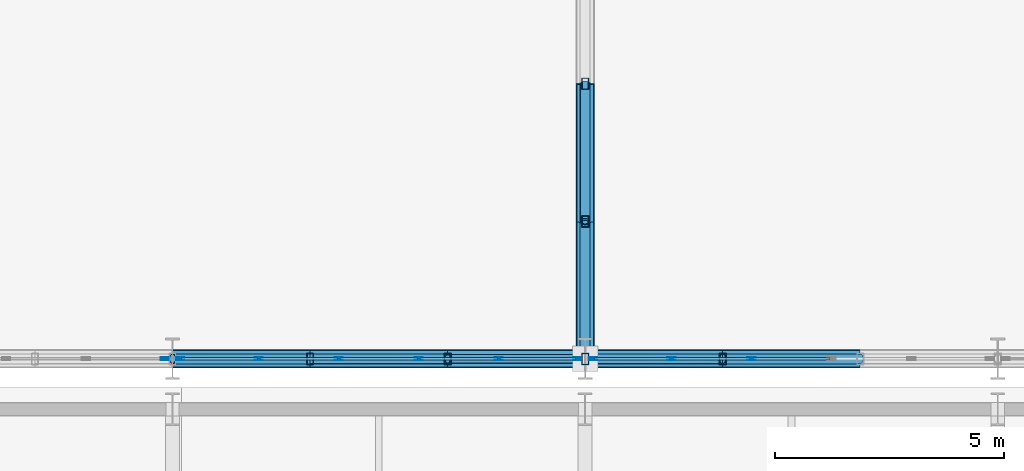
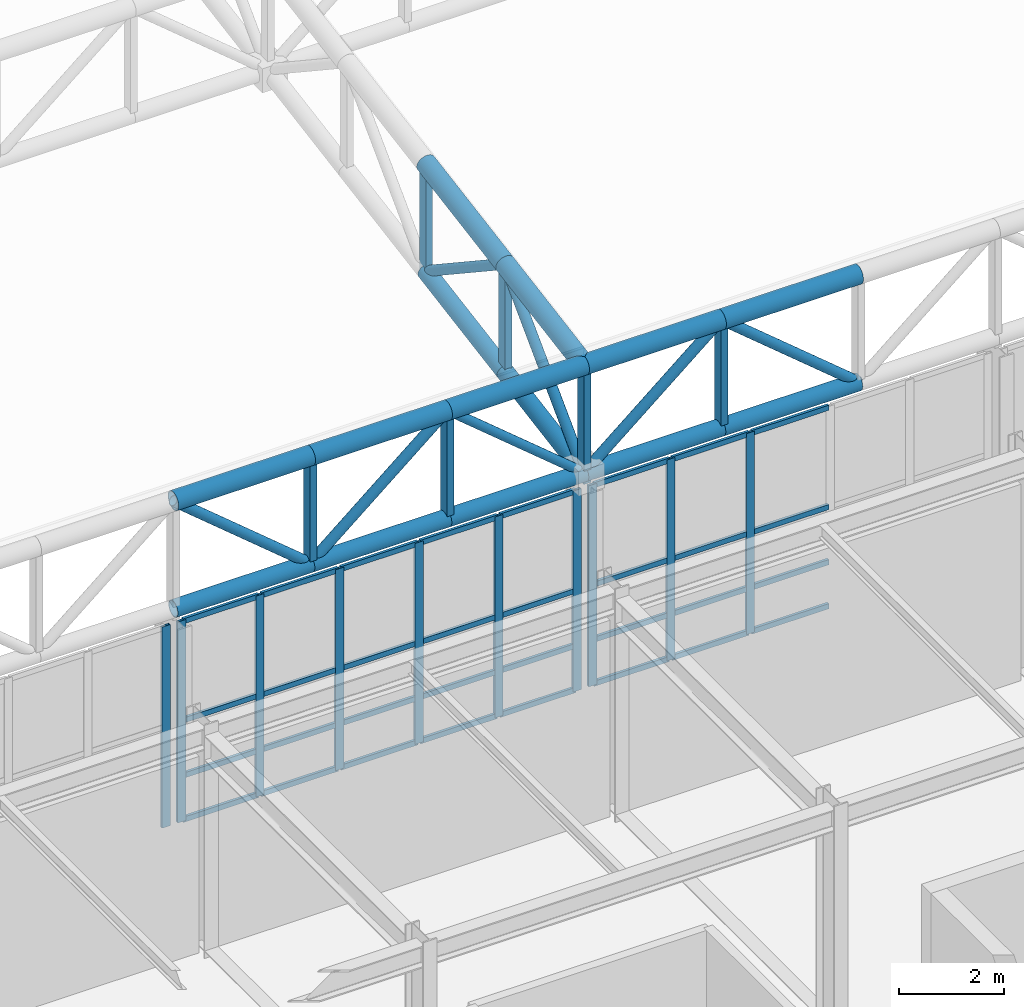
# One storey, part 65 of 239: 69 members, 3 elements without a shape of their own.
"""IFC4 building model written with IfcOpenShell, lengths in metres."""

import ifcopenshell
import ifcopenshell.guid

model = None  # the IFC model being written
_history = None  # IfcOwnerHistory: only IFC2X3 demands one
_inside = {}  # id of a spatial element -> (the spatial element, [elements in it])
_under = {}  # id of a project, library or spatial element -> (it, [spatial elements below it])
_declared = {}  # id of a project -> (the project, [libraries it declares])
_typed = {}  # id of a type object -> (the type object, [elements of that type])
_made_of = {}  # id of a material, layer set ... -> (it, [elements and type objects made of it])


def new_model(schema):
    """Start an empty IFC model of exactly this schema.

    Asked for "IFC4X3", IfcOpenShell would pick the latest addendum, in which some entities
    have other attributes; the version numbers below select the first issue.
    IFC2X3 requires an IfcOwnerHistory on every rooted entity: one is made here for all.
    """
    global model, _history
    if schema == "IFC4X3":
        model = ifcopenshell.file(schema_version=(4, 3, 0, 0))
    else:
        model = ifcopenshell.file(schema=schema)
    _inside.clear()
    _under.clear()
    _declared.clear()
    _typed.clear()
    _made_of.clear()
    _history = None
    if model.schema == "IFC2X3":
        org = make("IfcOrganization", Name="unknown")
        user = make(
            "IfcPersonAndOrganization",
            ThePerson=make("IfcPerson", FamilyName="unknown"),
            TheOrganization=org,
        )
        app = make(
            "IfcApplication",
            ApplicationDeveloper=org,
            Version="unknown",
            ApplicationFullName="unknown",
            ApplicationIdentifier="unknown",
        )
        _history = make(
            "IfcOwnerHistory",
            OwningUser=user,
            OwningApplication=app,
            ChangeAction="ADDED",
            CreationDate=0,
        )
    return model


def make(cls, **values):
    """One entity of the class cls with the attributes given. An attribute that is None is left unset."""
    return model.create_entity(
        cls, **{name: value for name, value in values.items() if value is not None}
    )


def rooted(cls, **values):
    """An entity with a GlobalId (a new one), such as an element, a storey or a relation."""
    return make(cls, GlobalId=ifcopenshell.guid.new(), OwnerHistory=_history, **values)


def si_unit(unit_type, name, prefix=None):
    """IfcSIUnit, for example si_unit("LENGTHUNIT", "METRE", prefix="MILLI")."""
    return make("IfcSIUnit", UnitType=unit_type, Prefix=prefix, Name=name)


def assignment(units):
    """IfcUnitAssignment: the units of a project."""
    return None if units is None else make("IfcUnitAssignment", Units=units)


def point(xyz):
    """IfcCartesianPoint."""
    return None if xyz is None else make("IfcCartesianPoint", Coordinates=xyz)


def direction(xyz):
    """IfcDirection."""
    return None if xyz is None else make("IfcDirection", DirectionRatios=xyz)


def frame(location, z_axis=None, x_axis=None):
    """IfcAxis2Placement3D, a coordinate frame: its origin and axes. An axis left out is left unset."""
    return make(
        "IfcAxis2Placement3D",
        Location=point(location),
        Axis=direction(z_axis),
        RefDirection=direction(x_axis),
    )


def frame_2d(location, x_axis=None):
    """IfcAxis2Placement2D, a coordinate frame in the plane: its origin and x axis."""
    return make(
        "IfcAxis2Placement2D", Location=point(location), RefDirection=direction(x_axis)
    )


def origin():
    """The frame at (0, 0, 0) with its axes left unset."""
    return frame((0.0, 0.0, 0.0))


def origin_2d():
    """The frame at (0, 0) in the plane with its x axis left unset."""
    return frame_2d((0.0, 0.0))


def place(relative_to, where):
    """IfcLocalPlacement: puts the frame where relative to a parent placement (None: the world)."""
    return make(
        "IfcLocalPlacement", PlacementRelTo=relative_to, RelativePlacement=where
    )


def context(
    kind, dimensions, precision=None, world=None, true_north=None, identifier=None
):
    """IfcGeometricRepresentationContext, for example the 3D "Model" context."""
    return make(
        "IfcGeometricRepresentationContext",
        ContextIdentifier=identifier,
        ContextType=kind,
        CoordinateSpaceDimension=dimensions,
        Precision=precision,
        WorldCoordinateSystem=world,
        TrueNorth=true_north,
    )


def subcontext(parent, identifier, kind, view, scale=None):
    """IfcGeometricRepresentationSubContext, for example "Body" below "Model"."""
    return make(
        "IfcGeometricRepresentationSubContext",
        ContextIdentifier=identifier,
        ContextType=kind,
        ParentContext=parent,
        TargetScale=scale,
        TargetView=view,
    )


def project(units=None, contexts=None):
    """IfcProject with its units and contexts."""
    return rooted(
        "IfcProject",
        Name="project",
        RepresentationContexts=contexts,
        UnitsInContext=assignment(units),
    )


def spatial(cls, under=None, at=None, **own):
    """A site, building, storey or space (cls), placed at a placement, below another one or the project."""
    s = rooted(cls, ObjectPlacement=at, **own)
    if under is not None:
        _under.setdefault(under.id(), (under, []))[1].append(s)
    return s


def profile(cls, at=None, kind="AREA", **sizes):
    """A parametric profile (cls). Its sizes go by their IFC names, for example OverallWidth=200.0."""
    return make(cls, ProfileType=kind, Position=at, **sizes)


def hollow_rectangle(**sizes):
    """IfcRectangleHollowProfileDef."""
    return profile("IfcRectangleHollowProfileDef", **sizes)


def hollow_circle(**sizes):
    """IfcCircleHollowProfileDef."""
    return profile("IfcCircleHollowProfileDef", **sizes)


def extrude(swept, where, along, depth):
    """IfcExtrudedAreaSolid: the profile swept, set in the frame where, extruded along a direction by depth."""
    return make(
        "IfcExtrudedAreaSolid",
        SweptArea=swept,
        Position=where,
        ExtrudedDirection=direction(along),
        Depth=depth,
    )


def shape(context_of_items, identifier, shape_type, items):
    """IfcShapeRepresentation: the items that make up one representation, for example the "Body"."""
    return make(
        "IfcShapeRepresentation",
        ContextOfItems=context_of_items,
        RepresentationIdentifier=identifier,
        RepresentationType=shape_type,
        Items=items,
    )


def material(Name=None, Category=None):
    """IfcMaterial."""
    return make("IfcMaterial", Name=Name, Category=Category)


def material_profile(
    of_material, cross_section, Name=None, Category=None, Priority=None
):
    """IfcMaterialProfile: a cross section and its material."""
    return make(
        "IfcMaterialProfile",
        Name=Name,
        Material=of_material,
        Profile=cross_section,
        Priority=Priority,
        Category=Category,
    )


def profile_set(profiles, Name=None, composite=None):
    """IfcMaterialProfileSet."""
    return make(
        "IfcMaterialProfileSet",
        Name=Name,
        MaterialProfiles=profiles,
        CompositeProfile=composite,
    )


def made_of(thing, what):
    """Note that an element or type object is made of a material, layer set ...; save() writes the relation."""
    if what is not None:
        _made_of.setdefault(what.id(), (what, []))[1].append(thing)
    return thing


def type_object(cls, material=None, **own):
    """A type object (cls), such as IfcWallType, which elements share."""
    return made_of(rooted(cls, **own), material)


def element(
    cls,
    number,
    at=None,
    inside=None,
    cuts=None,
    type_object=None,
    material=None,
    context=None,
    identifier="Body",
    shape_type=None,
    held_by="IfcProductDefinitionShape",
    body=None,
    shapes=None,
    **own,
):
    """One element of the class cls, such as IfcWall. Its Tag is "e" and its number.

    at: its placement. inside: the storey or other place that contains it. cuts: it is an
    opening in that element (IfcRelVoidsElement). A single representation is given by context,
    identifier, shape_type and body (its items); several are given by shapes. held_by: the class
    of the entity that holds the representations. save() writes the other relations.
    """
    e = rooted(cls, Tag="e%d" % number, ObjectPlacement=at, **own)
    if body is not None:
        shapes = [shape(context, identifier, shape_type, body)]
    if shapes is not None:
        e.Representation = make(held_by, Representations=shapes)
    if inside is not None:
        _inside.setdefault(inside.id(), (inside, []))[1].append(e)
    if cuts is not None:
        rooted(
            "IfcRelVoidsElement", RelatingBuildingElement=cuts, RelatedOpeningElement=e
        )
    if type_object is not None:
        _typed.setdefault(type_object.id(), (type_object, []))[1].append(e)
    return made_of(e, material)


def aggregate(whole, parts):
    """IfcRelAggregates: a whole, such as a stair, and the parts it consists of."""
    return rooted("IfcRelAggregates", RelatingObject=whole, RelatedObjects=parts)


def save(model, path):
    """Write the relations noted so far, then the file.

    IfcRelAggregates (storeys below a building ...), IfcRelContainedInSpatialStructure (elements
    in a storey), IfcRelDefinesByType, IfcRelAssociatesMaterial and IfcRelDeclares: one each for
    every whole, place, type object, material and project.
    """
    for whole, parts in _under.values():
        aggregate(whole, parts)
    for where, things in _inside.values():
        rooted(
            "IfcRelContainedInSpatialStructure",
            RelatedElements=things,
            RelatingStructure=where,
        )
    for kind, things in _typed.values():
        rooted("IfcRelDefinesByType", RelatedObjects=things, RelatingType=kind)
    for what, things in _made_of.values():
        rooted("IfcRelAssociatesMaterial", RelatedObjects=things, RelatingMaterial=what)
    for by, libraries in _declared.values():
        rooted("IfcRelDeclares", RelatingContext=by, RelatedDefinitions=libraries)
    model.write(path)


model = new_model("IFC4")

# Units and contexts
model_context = context("Model", 3, precision=1e-05, world=origin(), true_north=direction((0.0, 1.0)))
body_context = subcontext(model_context, "Body", "Model", "MODEL_VIEW")
ifc_project = project(units=[si_unit("LENGTHUNIT", "METRE"), si_unit("AREAUNIT", "SQUARE_METRE"), si_unit("VOLUMEUNIT", "CUBIC_METRE"), si_unit("PLANEANGLEUNIT", "RADIAN"), si_unit("MASSUNIT", "GRAM", prefix="KILO")], contexts=[model_context])

# Site, building, storey
site_placement = place(None, origin())
site = spatial("IfcSite", under=ifc_project, at=site_placement, CompositionType="ELEMENT")
building_placement = place(site_placement, origin())
building = spatial("IfcBuilding", under=site, at=building_placement, Name="Kaldris Quays Convention Centre", CompositionType="ELEMENT")
storey_placement = place(building_placement, frame((0.0, 0.0, 11.39990234375)))
storey = spatial("IfcBuildingStorey", under=building, at=storey_placement, Name="L02", CompositionType="ELEMENT", Elevation=11.39990234375)

# Curtain wall, member
ifc_material_1 = material(Name="Anodized aluminium AW-6060 and triple glazing", Category="aluminium")
curtain_wall_type = type_object("IfcCurtainWallType", Name="UNITISED CURTAIN WALL CW03", PredefinedType="NOTDEFINED", material=ifc_material_1)
curtain_wall_1_placement = place(storey_placement, origin())
curtain_wall_1 = element("IfcCurtainWall", 1, at=curtain_wall_1_placement, inside=storey, type_object=curtain_wall_type, Name="L02 Unitised Curtain Wall CW03 243", PredefinedType="NOTDEFINED")
ifc_material_2 = material(Name="Anodized aluminium AW-6060", Category="aluminium")
ifc_material_profile_1 = material_profile(ifc_material_2, hollow_rectangle(XDim=0.06005859375, YDim=0.179931640625, WallThickness=0.0048828125, at=origin_2d()), Name="RHS 180x60x5")
ifc_profile_set_1 = profile_set([ifc_material_profile_1], Name="Anodized aluminium AW-6060")
member_type_1 = type_object("IfcMemberType", Name="CURTAIN MULLION CWM2", PredefinedType="MULLION", material=ifc_profile_set_1)
member_1_placement = place(storey_placement, frame((100.830078125, 56.0, 2.195068359375), z_axis=(0.0, 0.0, 1.0), x_axis=(0.0, 1.0, 0.0)))
member_1 = element("IfcMember", 2, at=member_1_placement, type_object=member_type_1, Name="CW03 mullion 6", PredefinedType="MULLION", context=body_context, shape_type="SweptSolid", body=[
    extrude(hollow_rectangle(XDim=0.06005859375, YDim=0.179931640625, WallThickness=0.0048828125, at=origin_2d()), origin(), (0.0, 0.0, 1.0), 4.655029296875),
])
aggregate(curtain_wall_1, [member_1])

# Curtain wall, members
curtain_wall_2_placement = place(storey_placement, origin())
curtain_wall_2 = element("IfcCurtainWall", 3, at=curtain_wall_2_placement, inside=storey, type_object=curtain_wall_type, Name="L02 Unitised Curtain Wall CW03 245", PredefinedType="NOTDEFINED")
member_2_placement = place(storey_placement, frame((101.169921875, 56.0, 2.195068359375), z_axis=(0.0, 0.0, 1.0), x_axis=(0.0, 1.0, 0.0)))
member_2 = element("IfcMember", 4, at=member_2_placement, type_object=member_type_1, Name="CW03 mullion 1", PredefinedType="MULLION", context=body_context, shape_type="SweptSolid", body=[
    extrude(hollow_rectangle(XDim=0.06005859375, YDim=0.179931640625, WallThickness=0.0048828125, at=origin_2d()), origin(), (0.0, 0.0, 1.0), 4.655029296875),
])
member_3_placement = place(storey_placement, frame((102.884033203125, 56.0, 2.195068359375), z_axis=(0.0, 0.0, 1.0), x_axis=(0.0, 1.0, 0.0)))
member_3 = element("IfcMember", 5, at=member_3_placement, type_object=member_type_1, Name="CW03 mullion 2", PredefinedType="MULLION", context=body_context, shape_type="SweptSolid", body=[
    extrude(hollow_rectangle(XDim=0.06005859375, YDim=0.179931640625, WallThickness=0.0048828125, at=origin_2d()), origin(), (0.0, 0.0, 1.0), 4.655029296875),
])
member_4_placement = place(storey_placement, frame((104.6279296875, 56.0, 2.195068359375), z_axis=(0.0, 0.0, 1.0), x_axis=(0.0, 1.0, 0.0)))
member_4 = element("IfcMember", 6, at=member_4_placement, type_object=member_type_1, Name="CW03 mullion 3", PredefinedType="MULLION", context=body_context, shape_type="SweptSolid", body=[
    extrude(hollow_rectangle(XDim=0.06005859375, YDim=0.179931640625, WallThickness=0.0048828125, at=origin_2d()), origin(), (0.0, 0.0, 1.0), 4.655029296875),
])
member_5_placement = place(storey_placement, frame((106.3720703125, 56.0, 2.195068359375), z_axis=(0.0, 0.0, 1.0), x_axis=(0.0, 1.0, 0.0)))
member_5 = element("IfcMember", 7, at=member_5_placement, type_object=member_type_1, Name="CW03 mullion 4", PredefinedType="MULLION", context=body_context, shape_type="SweptSolid", body=[
    extrude(hollow_rectangle(XDim=0.06005859375, YDim=0.179931640625, WallThickness=0.0048828125, at=origin_2d()), origin(), (0.0, 0.0, 1.0), 4.655029296875),
])
member_6_placement = place(storey_placement, frame((108.115966796875, 56.0, 2.195068359375), z_axis=(0.0, 0.0, 1.0), x_axis=(0.0, 1.0, 0.0)))
member_6 = element("IfcMember", 8, at=member_6_placement, type_object=member_type_1, Name="CW03 mullion 5", PredefinedType="MULLION", context=body_context, shape_type="SweptSolid", body=[
    extrude(hollow_rectangle(XDim=0.06005859375, YDim=0.179931640625, WallThickness=0.0048828125, at=origin_2d()), origin(), (0.0, 0.0, 1.0), 4.655029296875),
])
member_7_placement = place(storey_placement, frame((109.830078125, 56.0, 2.195068359375), z_axis=(0.0, 0.0, 1.0), x_axis=(0.0, 1.0, 0.0)))
member_7 = element("IfcMember", 9, at=member_7_placement, type_object=member_type_1, Name="CW03 mullion 6", PredefinedType="MULLION", context=body_context, shape_type="SweptSolid", body=[
    extrude(hollow_rectangle(XDim=0.06005859375, YDim=0.179931640625, WallThickness=0.0048828125, at=origin_2d()), origin(), (0.0, 0.0, 1.0), 4.655029296875),
])

curtain_wall_3_placement = place(storey_placement, origin())
curtain_wall_3 = element("IfcCurtainWall", 10, at=curtain_wall_3_placement, inside=storey, type_object=curtain_wall_type, Name="L02 Unitised Curtain Wall CW03 247", PredefinedType="NOTDEFINED")
member_8_placement = place(storey_placement, frame((110.169921875, 56.0, 2.195068359375), z_axis=(0.0, 0.0, 1.0), x_axis=(0.0, 1.0, 0.0)))
member_8 = element("IfcMember", 11, at=member_8_placement, type_object=member_type_1, Name="CW03 mullion 1", PredefinedType="MULLION", context=body_context, shape_type="SweptSolid", body=[
    extrude(hollow_rectangle(XDim=0.06005859375, YDim=0.179931640625, WallThickness=0.0048828125, at=origin_2d()), origin(), (0.0, 0.0, 1.0), 4.655029296875),
])
member_9_placement = place(storey_placement, frame((111.884033203125, 56.0, 2.195068359375), z_axis=(0.0, 0.0, 1.0), x_axis=(0.0, 1.0, 0.0)))
member_9 = element("IfcMember", 12, at=member_9_placement, type_object=member_type_1, Name="CW03 mullion 2", PredefinedType="MULLION", context=body_context, shape_type="SweptSolid", body=[
    extrude(hollow_rectangle(XDim=0.06005859375, YDim=0.179931640625, WallThickness=0.0048828125, at=origin_2d()), origin(), (0.0, 0.0, 1.0), 4.655029296875),
])
member_10_placement = place(storey_placement, frame((113.6279296875, 56.0, 2.195068359375), z_axis=(0.0, 0.0, 1.0), x_axis=(0.0, 1.0, 0.0)))
member_10 = element("IfcMember", 13, at=member_10_placement, type_object=member_type_1, Name="CW03 mullion 3", PredefinedType="MULLION", context=body_context, shape_type="SweptSolid", body=[
    extrude(hollow_rectangle(XDim=0.06005859375, YDim=0.179931640625, WallThickness=0.0048828125, at=origin_2d()), origin(), (0.0, 0.0, 1.0), 4.655029296875),
])

# Member
ifc_material_profile_2 = material_profile(ifc_material_2, hollow_rectangle(XDim=0.06005859375, YDim=0.1201171875, WallThickness=0.00390625, at=origin_2d()), Name="RHS 120x60x4")
ifc_profile_set_2 = profile_set([ifc_material_profile_2], Name="Anodized aluminium AW-6060")
member_type_2 = type_object("IfcMemberType", Name="CURTAIN TRANSOM CWT1", PredefinedType="USERDEFINED", material=ifc_profile_set_2)
member_11_placement = place(storey_placement, frame((101.199951171875, 56.0, 2.22509765625), z_axis=(1.0, 0.0, 0.0), x_axis=(0.0, 1.0, 0.0)))
member_11 = element("IfcMember", 14, at=member_11_placement, type_object=member_type_2, Name="CW03 transom 1.1", ObjectType="TRANSOM", PredefinedType="USERDEFINED", context=body_context, shape_type="SweptSolid", body=[
    extrude(hollow_rectangle(XDim=0.06005859375, YDim=0.1201171875, WallThickness=0.00390625, at=origin_2d()), origin(), (0.0, 0.0, 1.0), 1.654052734375),
])

member_12_placement = place(storey_placement, frame((101.199951171875, 56.0, 3.2451171875), z_axis=(1.0, 0.0, 0.0), x_axis=(0.0, 1.0, 0.0)))
member_12 = element("IfcMember", 15, at=member_12_placement, type_object=member_type_2, Name="CW03 transom 1.2", ObjectType="TRANSOM", PredefinedType="USERDEFINED", context=body_context, shape_type="SweptSolid", body=[
    extrude(hollow_rectangle(XDim=0.06005859375, YDim=0.1201171875, WallThickness=0.00390625, at=origin_2d()), origin(), (0.0, 0.0, 1.0), 1.654052734375),
])

member_13_placement = place(storey_placement, frame((101.199951171875, 56.0, 4.522216796875), z_axis=(1.0, 0.0, 0.0), x_axis=(0.0, 1.0, 0.0)))
member_13 = element("IfcMember", 16, at=member_13_placement, type_object=member_type_2, Name="CW03 transom 1.3", ObjectType="TRANSOM", PredefinedType="USERDEFINED", context=body_context, shape_type="SweptSolid", body=[
    extrude(hollow_rectangle(XDim=0.06005859375, YDim=0.1201171875, WallThickness=0.00390625, at=origin_2d()), origin(), (0.0, 0.0, 1.0), 1.654052734375),
])

member_14_placement = place(storey_placement, frame((101.199951171875, 56.0, 6.820068359375), z_axis=(1.0, 0.0, 0.0), x_axis=(0.0, 1.0, 0.0)))
member_14 = element("IfcMember", 17, at=member_14_placement, type_object=member_type_2, Name="CW03 transom 1.4", ObjectType="TRANSOM", PredefinedType="USERDEFINED", context=body_context, shape_type="SweptSolid", body=[
    extrude(hollow_rectangle(XDim=0.06005859375, YDim=0.1201171875, WallThickness=0.00390625, at=origin_2d()), origin(), (0.0, 0.0, 1.0), 1.654052734375),
])

member_15_placement = place(storey_placement, frame((102.9140625, 56.0, 2.22509765625), z_axis=(1.0, 0.0, 0.0), x_axis=(0.0, 1.0, 0.0)))
member_15 = element("IfcMember", 18, at=member_15_placement, type_object=member_type_2, Name="CW03 transom 2.1", ObjectType="TRANSOM", PredefinedType="USERDEFINED", context=body_context, shape_type="SweptSolid", body=[
    extrude(hollow_rectangle(XDim=0.06005859375, YDim=0.1201171875, WallThickness=0.00390625, at=origin_2d()), origin(), (0.0, 0.0, 1.0), 1.683837890625),
])

member_16_placement = place(storey_placement, frame((102.9140625, 56.0, 3.2451171875), z_axis=(1.0, 0.0, 0.0), x_axis=(0.0, 1.0, 0.0)))
member_16 = element("IfcMember", 19, at=member_16_placement, type_object=member_type_2, Name="CW03 transom 2.2", ObjectType="TRANSOM", PredefinedType="USERDEFINED", context=body_context, shape_type="SweptSolid", body=[
    extrude(hollow_rectangle(XDim=0.06005859375, YDim=0.1201171875, WallThickness=0.00390625, at=origin_2d()), origin(), (0.0, 0.0, 1.0), 1.683837890625),
])

member_17_placement = place(storey_placement, frame((102.9140625, 56.0, 4.522216796875), z_axis=(1.0, 0.0, 0.0), x_axis=(0.0, 1.0, 0.0)))
member_17 = element("IfcMember", 20, at=member_17_placement, type_object=member_type_2, Name="CW03 transom 2.3", ObjectType="TRANSOM", PredefinedType="USERDEFINED", context=body_context, shape_type="SweptSolid", body=[
    extrude(hollow_rectangle(XDim=0.06005859375, YDim=0.1201171875, WallThickness=0.00390625, at=origin_2d()), origin(), (0.0, 0.0, 1.0), 1.683837890625),
])

member_18_placement = place(storey_placement, frame((102.9140625, 56.0, 6.820068359375), z_axis=(1.0, 0.0, 0.0), x_axis=(0.0, 1.0, 0.0)))
member_18 = element("IfcMember", 21, at=member_18_placement, type_object=member_type_2, Name="CW03 transom 2.4", ObjectType="TRANSOM", PredefinedType="USERDEFINED", context=body_context, shape_type="SweptSolid", body=[
    extrude(hollow_rectangle(XDim=0.06005859375, YDim=0.1201171875, WallThickness=0.00390625, at=origin_2d()), origin(), (0.0, 0.0, 1.0), 1.683837890625),
])

member_19_placement = place(storey_placement, frame((104.657958984375, 56.0, 2.22509765625), z_axis=(1.0, 0.0, 0.0), x_axis=(0.0, 1.0, 0.0)))
member_19 = element("IfcMember", 22, at=member_19_placement, type_object=member_type_2, Name="CW03 transom 3.1", ObjectType="TRANSOM", PredefinedType="USERDEFINED", context=body_context, shape_type="SweptSolid", body=[
    extrude(hollow_rectangle(XDim=0.06005859375, YDim=0.1201171875, WallThickness=0.00390625, at=origin_2d()), origin(), (0.0, 0.0, 1.0), 1.68408203125),
])

member_20_placement = place(storey_placement, frame((104.657958984375, 56.0, 3.2451171875), z_axis=(1.0, 0.0, 0.0), x_axis=(0.0, 1.0, 0.0)))
member_20 = element("IfcMember", 23, at=member_20_placement, type_object=member_type_2, Name="CW03 transom 3.2", ObjectType="TRANSOM", PredefinedType="USERDEFINED", context=body_context, shape_type="SweptSolid", body=[
    extrude(hollow_rectangle(XDim=0.06005859375, YDim=0.1201171875, WallThickness=0.00390625, at=origin_2d()), origin(), (0.0, 0.0, 1.0), 1.68408203125),
])

member_21_placement = place(storey_placement, frame((104.657958984375, 56.0, 4.522216796875), z_axis=(1.0, 0.0, 0.0), x_axis=(0.0, 1.0, 0.0)))
member_21 = element("IfcMember", 24, at=member_21_placement, type_object=member_type_2, Name="CW03 transom 3.3", ObjectType="TRANSOM", PredefinedType="USERDEFINED", context=body_context, shape_type="SweptSolid", body=[
    extrude(hollow_rectangle(XDim=0.06005859375, YDim=0.1201171875, WallThickness=0.00390625, at=origin_2d()), origin(), (0.0, 0.0, 1.0), 1.68408203125),
])

member_22_placement = place(storey_placement, frame((104.657958984375, 56.0, 6.820068359375), z_axis=(1.0, 0.0, 0.0), x_axis=(0.0, 1.0, 0.0)))
member_22 = element("IfcMember", 25, at=member_22_placement, type_object=member_type_2, Name="CW03 transom 3.4", ObjectType="TRANSOM", PredefinedType="USERDEFINED", context=body_context, shape_type="SweptSolid", body=[
    extrude(hollow_rectangle(XDim=0.06005859375, YDim=0.1201171875, WallThickness=0.00390625, at=origin_2d()), origin(), (0.0, 0.0, 1.0), 1.68408203125),
])

member_23_placement = place(storey_placement, frame((106.402099609375, 56.0, 2.22509765625), z_axis=(1.0, 0.0, 0.0), x_axis=(0.0, 1.0, 0.0)))
member_23 = element("IfcMember", 26, at=member_23_placement, type_object=member_type_2, Name="CW03 transom 4.1", ObjectType="TRANSOM", PredefinedType="USERDEFINED", context=body_context, shape_type="SweptSolid", body=[
    extrude(hollow_rectangle(XDim=0.06005859375, YDim=0.1201171875, WallThickness=0.00390625, at=origin_2d()), origin(), (0.0, 0.0, 1.0), 1.683837890625),
])

member_24_placement = place(storey_placement, frame((106.402099609375, 56.0, 3.2451171875), z_axis=(1.0, 0.0, 0.0), x_axis=(0.0, 1.0, 0.0)))
member_24 = element("IfcMember", 27, at=member_24_placement, type_object=member_type_2, Name="CW03 transom 4.2", ObjectType="TRANSOM", PredefinedType="USERDEFINED", context=body_context, shape_type="SweptSolid", body=[
    extrude(hollow_rectangle(XDim=0.06005859375, YDim=0.1201171875, WallThickness=0.00390625, at=origin_2d()), origin(), (0.0, 0.0, 1.0), 1.683837890625),
])

member_25_placement = place(storey_placement, frame((106.402099609375, 56.0, 4.522216796875), z_axis=(1.0, 0.0, 0.0), x_axis=(0.0, 1.0, 0.0)))
member_25 = element("IfcMember", 28, at=member_25_placement, type_object=member_type_2, Name="CW03 transom 4.3", ObjectType="TRANSOM", PredefinedType="USERDEFINED", context=body_context, shape_type="SweptSolid", body=[
    extrude(hollow_rectangle(XDim=0.06005859375, YDim=0.1201171875, WallThickness=0.00390625, at=origin_2d()), origin(), (0.0, 0.0, 1.0), 1.683837890625),
])

member_26_placement = place(storey_placement, frame((106.402099609375, 56.0, 6.820068359375), z_axis=(1.0, 0.0, 0.0), x_axis=(0.0, 1.0, 0.0)))
member_26 = element("IfcMember", 29, at=member_26_placement, type_object=member_type_2, Name="CW03 transom 4.4", ObjectType="TRANSOM", PredefinedType="USERDEFINED", context=body_context, shape_type="SweptSolid", body=[
    extrude(hollow_rectangle(XDim=0.06005859375, YDim=0.1201171875, WallThickness=0.00390625, at=origin_2d()), origin(), (0.0, 0.0, 1.0), 1.683837890625),
])

member_27_placement = place(storey_placement, frame((108.14599609375, 56.0, 2.22509765625), z_axis=(1.0, 0.0, 0.0), x_axis=(0.0, 1.0, 0.0)))
member_27 = element("IfcMember", 30, at=member_27_placement, type_object=member_type_2, Name="CW03 transom 5.1", ObjectType="TRANSOM", PredefinedType="USERDEFINED", context=body_context, shape_type="SweptSolid", body=[
    extrude(hollow_rectangle(XDim=0.06005859375, YDim=0.1201171875, WallThickness=0.00390625, at=origin_2d()), origin(), (0.0, 0.0, 1.0), 1.654052734375),
])

member_28_placement = place(storey_placement, frame((108.14599609375, 56.0, 3.2451171875), z_axis=(1.0, 0.0, 0.0), x_axis=(0.0, 1.0, 0.0)))
member_28 = element("IfcMember", 31, at=member_28_placement, type_object=member_type_2, Name="CW03 transom 5.2", ObjectType="TRANSOM", PredefinedType="USERDEFINED", context=body_context, shape_type="SweptSolid", body=[
    extrude(hollow_rectangle(XDim=0.06005859375, YDim=0.1201171875, WallThickness=0.00390625, at=origin_2d()), origin(), (0.0, 0.0, 1.0), 1.654052734375),
])

member_29_placement = place(storey_placement, frame((108.14599609375, 56.0, 4.522216796875), z_axis=(1.0, 0.0, 0.0), x_axis=(0.0, 1.0, 0.0)))
member_29 = element("IfcMember", 32, at=member_29_placement, type_object=member_type_2, Name="CW03 transom 5.3", ObjectType="TRANSOM", PredefinedType="USERDEFINED", context=body_context, shape_type="SweptSolid", body=[
    extrude(hollow_rectangle(XDim=0.06005859375, YDim=0.1201171875, WallThickness=0.00390625, at=origin_2d()), origin(), (0.0, 0.0, 1.0), 1.654052734375),
])

member_30_placement = place(storey_placement, frame((108.14599609375, 56.0, 6.820068359375), z_axis=(1.0, 0.0, 0.0), x_axis=(0.0, 1.0, 0.0)))
member_30 = element("IfcMember", 33, at=member_30_placement, type_object=member_type_2, Name="CW03 transom 5.4", ObjectType="TRANSOM", PredefinedType="USERDEFINED", context=body_context, shape_type="SweptSolid", body=[
    extrude(hollow_rectangle(XDim=0.06005859375, YDim=0.1201171875, WallThickness=0.00390625, at=origin_2d()), origin(), (0.0, 0.0, 1.0), 1.654052734375),
])

aggregate(curtain_wall_2, [member_2, member_3, member_4, member_5, member_6, member_7, member_11, member_12, member_13, member_14, member_15, member_16, member_17, member_18, member_19, member_20, member_21, member_22, member_23, member_24, member_25, member_26, member_27, member_28, member_29, member_30])

member_31_placement = place(storey_placement, frame((110.199951171875, 56.0, 2.22509765625), z_axis=(1.0, 0.0, 0.0), x_axis=(0.0, 1.0, 0.0)))
member_31 = element("IfcMember", 34, at=member_31_placement, type_object=member_type_2, Name="CW03 transom 1.1", ObjectType="TRANSOM", PredefinedType="USERDEFINED", context=body_context, shape_type="SweptSolid", body=[
    extrude(hollow_rectangle(XDim=0.06005859375, YDim=0.1201171875, WallThickness=0.00390625, at=origin_2d()), origin(), (0.0, 0.0, 1.0), 1.654052734375),
])

member_32_placement = place(storey_placement, frame((110.199951171875, 56.0, 3.2451171875), z_axis=(1.0, 0.0, 0.0), x_axis=(0.0, 1.0, 0.0)))
member_32 = element("IfcMember", 35, at=member_32_placement, type_object=member_type_2, Name="CW03 transom 1.2", ObjectType="TRANSOM", PredefinedType="USERDEFINED", context=body_context, shape_type="SweptSolid", body=[
    extrude(hollow_rectangle(XDim=0.06005859375, YDim=0.1201171875, WallThickness=0.00390625, at=origin_2d()), origin(), (0.0, 0.0, 1.0), 1.654052734375),
])

member_33_placement = place(storey_placement, frame((110.199951171875, 56.0, 4.522216796875), z_axis=(1.0, 0.0, 0.0), x_axis=(0.0, 1.0, 0.0)))
member_33 = element("IfcMember", 36, at=member_33_placement, type_object=member_type_2, Name="CW03 transom 1.3", ObjectType="TRANSOM", PredefinedType="USERDEFINED", context=body_context, shape_type="SweptSolid", body=[
    extrude(hollow_rectangle(XDim=0.06005859375, YDim=0.1201171875, WallThickness=0.00390625, at=origin_2d()), origin(), (0.0, 0.0, 1.0), 1.654052734375),
])

member_34_placement = place(storey_placement, frame((110.199951171875, 56.0, 6.820068359375), z_axis=(1.0, 0.0, 0.0), x_axis=(0.0, 1.0, 0.0)))
member_34 = element("IfcMember", 37, at=member_34_placement, type_object=member_type_2, Name="CW03 transom 1.4", ObjectType="TRANSOM", PredefinedType="USERDEFINED", context=body_context, shape_type="SweptSolid", body=[
    extrude(hollow_rectangle(XDim=0.06005859375, YDim=0.1201171875, WallThickness=0.00390625, at=origin_2d()), origin(), (0.0, 0.0, 1.0), 1.654052734375),
])

member_35_placement = place(storey_placement, frame((111.9140625, 56.0, 2.22509765625), z_axis=(1.0, 0.0, 0.0), x_axis=(0.0, 1.0, 0.0)))
member_35 = element("IfcMember", 38, at=member_35_placement, type_object=member_type_2, Name="CW03 transom 2.1", ObjectType="TRANSOM", PredefinedType="USERDEFINED", context=body_context, shape_type="SweptSolid", body=[
    extrude(hollow_rectangle(XDim=0.06005859375, YDim=0.1201171875, WallThickness=0.00390625, at=origin_2d()), origin(), (0.0, 0.0, 1.0), 1.683837890625),
])

member_36_placement = place(storey_placement, frame((111.9140625, 56.0, 3.2451171875), z_axis=(1.0, 0.0, 0.0), x_axis=(0.0, 1.0, 0.0)))
member_36 = element("IfcMember", 39, at=member_36_placement, type_object=member_type_2, Name="CW03 transom 2.2", ObjectType="TRANSOM", PredefinedType="USERDEFINED", context=body_context, shape_type="SweptSolid", body=[
    extrude(hollow_rectangle(XDim=0.06005859375, YDim=0.1201171875, WallThickness=0.00390625, at=origin_2d()), origin(), (0.0, 0.0, 1.0), 1.683837890625),
])

member_37_placement = place(storey_placement, frame((111.9140625, 56.0, 4.522216796875), z_axis=(1.0, 0.0, 0.0), x_axis=(0.0, 1.0, 0.0)))
member_37 = element("IfcMember", 40, at=member_37_placement, type_object=member_type_2, Name="CW03 transom 2.3", ObjectType="TRANSOM", PredefinedType="USERDEFINED", context=body_context, shape_type="SweptSolid", body=[
    extrude(hollow_rectangle(XDim=0.06005859375, YDim=0.1201171875, WallThickness=0.00390625, at=origin_2d()), origin(), (0.0, 0.0, 1.0), 1.683837890625),
])

member_38_placement = place(storey_placement, frame((111.9140625, 56.0, 6.820068359375), z_axis=(1.0, 0.0, 0.0), x_axis=(0.0, 1.0, 0.0)))
member_38 = element("IfcMember", 41, at=member_38_placement, type_object=member_type_2, Name="CW03 transom 2.4", ObjectType="TRANSOM", PredefinedType="USERDEFINED", context=body_context, shape_type="SweptSolid", body=[
    extrude(hollow_rectangle(XDim=0.06005859375, YDim=0.1201171875, WallThickness=0.00390625, at=origin_2d()), origin(), (0.0, 0.0, 1.0), 1.683837890625),
])

member_39_placement = place(storey_placement, frame((113.657958984375, 56.0, 2.22509765625), z_axis=(1.0, 0.0, 0.0), x_axis=(0.0, 1.0, 0.0)))
member_39 = element("IfcMember", 42, at=member_39_placement, type_object=member_type_2, Name="CW03 transom 3.1", ObjectType="TRANSOM", PredefinedType="USERDEFINED", context=body_context, shape_type="SweptSolid", body=[
    extrude(hollow_rectangle(XDim=0.06005859375, YDim=0.1201171875, WallThickness=0.00390625, at=origin_2d()), origin(), (0.0, 0.0, 1.0), 1.68408203125),
])

member_40_placement = place(storey_placement, frame((113.657958984375, 56.0, 3.2451171875), z_axis=(1.0, 0.0, 0.0), x_axis=(0.0, 1.0, 0.0)))
member_40 = element("IfcMember", 43, at=member_40_placement, type_object=member_type_2, Name="CW03 transom 3.2", ObjectType="TRANSOM", PredefinedType="USERDEFINED", context=body_context, shape_type="SweptSolid", body=[
    extrude(hollow_rectangle(XDim=0.06005859375, YDim=0.1201171875, WallThickness=0.00390625, at=origin_2d()), origin(), (0.0, 0.0, 1.0), 1.68408203125),
])

member_41_placement = place(storey_placement, frame((113.657958984375, 56.0, 4.522216796875), z_axis=(1.0, 0.0, 0.0), x_axis=(0.0, 1.0, 0.0)))
member_41 = element("IfcMember", 44, at=member_41_placement, type_object=member_type_2, Name="CW03 transom 3.3", ObjectType="TRANSOM", PredefinedType="USERDEFINED", context=body_context, shape_type="SweptSolid", body=[
    extrude(hollow_rectangle(XDim=0.06005859375, YDim=0.1201171875, WallThickness=0.00390625, at=origin_2d()), origin(), (0.0, 0.0, 1.0), 1.68408203125),
])

member_42_placement = place(storey_placement, frame((113.657958984375, 56.0, 6.820068359375), z_axis=(1.0, 0.0, 0.0), x_axis=(0.0, 1.0, 0.0)))
member_42 = element("IfcMember", 45, at=member_42_placement, type_object=member_type_2, Name="CW03 transom 3.4", ObjectType="TRANSOM", PredefinedType="USERDEFINED", context=body_context, shape_type="SweptSolid", body=[
    extrude(hollow_rectangle(XDim=0.06005859375, YDim=0.1201171875, WallThickness=0.00390625, at=origin_2d()), origin(), (0.0, 0.0, 1.0), 1.68408203125),
])

aggregate(curtain_wall_3, [member_8, member_9, member_10, member_31, member_32, member_33, member_34, member_35, member_36, member_37, member_38, member_39, member_40, member_41, member_42])

# Members
ifc_material_3 = material(Name="Steel S355J2H", Category="steel")
ifc_material_profile_3 = material_profile(ifc_material_3, hollow_circle(Radius=0.203125, WallThickness=0.01611328125, at=origin_2d()), Name="CHS 406.4x16")
ifc_profile_set_3 = profile_set([ifc_material_profile_3], Name="Steel S355J2H")
member_type_3 = type_object("IfcMemberType", Name="STRUCTURAL MEMBER SC01", PredefinedType="CHORD", material=ifc_profile_set_3)
for number, where, z_axis, x_axis, name in (
    (46, (101.0, 56.0, 9.671875), (1.0, 0.0, 0.0), (0.0, 1.0, 0.0), "SF-V1 Top Chord X 28"),
    (47, (104.0, 56.0, 9.671875), (1.0, 0.0, 0.0), (0.0, 1.0, 0.0), "SF-V1 Top Chord X 29"),
    (48, (107.0, 56.0, 9.671875), (1.0, 0.0, 0.0), (0.0, 1.0, 0.0), "SF-V1 Top Chord X 30"),
    (49, (110.0, 56.0, 9.671875), (1.0, 0.0, 0.0), (0.0, 1.0, 0.0), "SF-V1 Top Chord X 31"),
    (50, (113.0, 56.0, 9.671875), (1.0, 0.0, 0.0), (0.0, 1.0, 0.0), "SF-V1 Top Chord X 32"),
):
    element("IfcMember", number, at=place(storey_placement, frame(where, z_axis=z_axis, x_axis=x_axis)), inside=storey, type_object=member_type_3, Name=name, PredefinedType="CHORD", context=body_context, shape_type="SweptSolid", body=[
        extrude(hollow_circle(Radius=0.203125, WallThickness=0.01611328125, at=origin_2d()), origin(), (0.0, 0.0, 1.0), 3.0),
    ])
for number, where, z_axis, x_axis, name in (
    (51, (110.0, 56.0, 9.671875), (0.0, 0.985615766076, 0.169001661712), (-1.0, 0.0, 0.0), "SF-V1 Top Chord Y 477"),
    (52, (110.0, 59.0, 10.186279296875), (0.0, 0.98562912375, 0.168923741424), (-1.0, 0.0, 0.0), "SF-V1 Top Chord Y 478"),
):
    element("IfcMember", number, at=place(storey_placement, frame(where, z_axis=z_axis, x_axis=x_axis)), inside=storey, type_object=member_type_3, Name=name, PredefinedType="CHORD", context=body_context, shape_type="SweptSolid", body=[
        extrude(hollow_circle(Radius=0.203125, WallThickness=0.01611328125, at=origin_2d()), origin(), (0.0, 0.0, 1.0), 3.043701171875),
    ])
ifc_material_profile_4 = material_profile(ifc_material_3, hollow_circle(Radius=0.177734375, WallThickness=0.01611328125, at=origin_2d()), Name="CHS 355.6x16")
ifc_profile_set_4 = profile_set([ifc_material_profile_4], Name="Steel S355J2H")
member_type_4 = type_object("IfcMemberType", Name="STRUCTURAL MEMBER SC02", PredefinedType="CHORD", material=ifc_profile_set_4)
for number, where, z_axis, x_axis, name in (
    (53, (101.0, 56.0, 7.171875), (1.0, 0.0, 0.0), (0.0, 1.0, 0.0), "SF-V1 Bottom Chord X 28"),
    (54, (104.0, 56.0, 7.171875), (1.0, 0.0, 0.0), (0.0, 1.0, 0.0), "SF-V1 Bottom Chord X 29"),
    (55, (107.0, 56.0, 7.171875), (1.0, 0.0, 0.0), (0.0, 1.0, 0.0), "SF-V1 Bottom Chord X 30"),
    (56, (110.0, 56.0, 7.171875), (1.0, 0.0, 0.0), (0.0, 1.0, 0.0), "SF-V1 Bottom Chord X 31"),
    (57, (113.0, 56.0, 7.171875), (1.0, 0.0, 0.0), (0.0, 1.0, 0.0), "SF-V1 Bottom Chord X 32"),
):
    element("IfcMember", number, at=place(storey_placement, frame(where, z_axis=z_axis, x_axis=x_axis)), inside=storey, type_object=member_type_4, Name=name, PredefinedType="CHORD", context=body_context, shape_type="SweptSolid", body=[
        extrude(hollow_circle(Radius=0.177734375, WallThickness=0.01611328125, at=origin_2d()), origin(), (0.0, 0.0, 1.0), 3.0),
    ])
for number, where, z_axis, x_axis, name in (
    (58, (110.0, 56.0, 7.171875), (0.0, 0.985615766076, 0.169001661712), (-1.0, 0.0, 0.0), "SF-V1 Bottom Chord Y 477"),
    (59, (110.0, 59.0, 7.686279296875), (0.0, 0.98562912375, 0.168923741424), (-1.0, 0.0, 0.0), "SF-V1 Bottom Chord Y 478"),
):
    element("IfcMember", number, at=place(storey_placement, frame(where, z_axis=z_axis, x_axis=x_axis)), inside=storey, type_object=member_type_4, Name=name, PredefinedType="CHORD", context=body_context, shape_type="SweptSolid", body=[
        extrude(hollow_circle(Radius=0.177734375, WallThickness=0.01611328125, at=origin_2d()), origin(), (0.0, 0.0, 1.0), 3.043701171875),
    ])
ifc_material_profile_5 = material_profile(ifc_material_3, hollow_circle(Radius=0.109619140625, WallThickness=0.010009765625, at=origin_2d()), Name="CHS 219.1x10")
ifc_profile_set_5 = profile_set([ifc_material_profile_5], Name="Steel S355J2H")
member_type_5 = type_object("IfcMemberType", Name="STRUCTURAL MEMBER SWB1", PredefinedType="BRACE", material=ifc_profile_set_5)
for number, where, z_axis, x_axis, name in (
    (60, (104.0, 56.0, 7.171875), (-0.768221279597, 0.0, 0.640184399664), (0.0, -1.0, 0.0), "SF-V1 Web Diagonal X 28"),
    (61, (104.0, 56.0, 7.171875), (0.768221279597, 0.0, 0.640184399664), (0.0, 1.0, 0.0), "SF-V1 Web Diagonal X 29"),
    (62, (110.0, 56.0, 7.171875), (0.768221279597, 0.0, 0.640184399664), (0.0, 1.0, 0.0), "SF-V1 Web Diagonal X 31"),
    (63, (116.0, 56.0, 7.171875), (-0.768221279597, 0.0, 0.640184399664), (0.0, -1.0, 0.0), "SF-V1 Web Diagonal X 32"),
):
    element("IfcMember", number, at=place(storey_placement, frame(where, z_axis=z_axis, x_axis=x_axis)), inside=storey, type_object=member_type_5, Name=name, PredefinedType="BRACE", context=body_context, shape_type="SweptSolid", body=[
        extrude(hollow_circle(Radius=0.109619140625, WallThickness=0.010009765625, at=origin_2d()), origin(), (0.0, 0.0, 1.0), 3.905029296875),
    ])
member_43_placement = place(storey_placement, frame((110.0, 56.0, 7.171875), z_axis=(0.0, 0.705411261057, 0.708798245465), x_axis=(-1.0, 0.0, 0.0)))
element("IfcMember", 64, at=member_43_placement, inside=storey, type_object=member_type_5, Name="SF-V1 Web Diagonal Y 477", PredefinedType="BRACE", context=body_context, shape_type="SweptSolid", body=[
    extrude(hollow_circle(Radius=0.109619140625, WallThickness=0.010009765625, at=origin_2d()), origin(), (0.0, 0.0, 1.0), 4.2529296875),
])
member_44_placement = place(storey_placement, frame((110.0, 62.0, 8.200439453125), z_axis=(0.0, -0.833862389808, 0.551972385962), x_axis=(1.0, 0.0, 0.0)))
element("IfcMember", 65, at=member_44_placement, inside=storey, type_object=member_type_5, Name="SF-V1 Web Diagonal Y 478", PredefinedType="BRACE", context=body_context, shape_type="SweptSolid", body=[
    extrude(hollow_circle(Radius=0.109619140625, WallThickness=0.010009765625, at=origin_2d()), origin(), (0.0, 0.0, 1.0), 3.59765625),
])
ifc_material_profile_6 = material_profile(ifc_material_3, hollow_circle(Radius=0.096923828125, WallThickness=0.008056640625, at=origin_2d()), Name="CHS 193.7x8")
ifc_profile_set_6 = profile_set([ifc_material_profile_6], Name="Steel S355J2H")
member_type_6 = type_object("IfcMemberType", Name="STRUCTURAL MEMBER SWB3", PredefinedType="BRACE", material=ifc_profile_set_6)
member_45_placement = place(storey_placement, frame((110.0, 56.0, 7.171875), z_axis=(-0.768221279597, 0.0, 0.640184399664), x_axis=(0.0, -1.0, 0.0)))
element("IfcMember", 66, at=member_45_placement, inside=storey, type_object=member_type_6, Name="SF-V1 Web Diagonal X 30", PredefinedType="BRACE", context=body_context, shape_type="SweptSolid", body=[
    extrude(hollow_circle(Radius=0.096923828125, WallThickness=0.008056640625, at=origin_2d()), origin(), (0.0, 0.0, 1.0), 3.905029296875),
])
ifc_material_profile_7 = material_profile(ifc_material_3, hollow_rectangle(XDim=0.14990234375, YDim=0.25, WallThickness=0.010009765625, at=origin_2d()), Name="RHS 250x150x10")
ifc_profile_set_7 = profile_set([ifc_material_profile_7], Name="Steel S355J2H")
member_type_7 = type_object("IfcMemberType", Name="STRUCTURAL MEMBER TTV1", PredefinedType="POST", material=ifc_profile_set_7)
for number, where, z_axis, x_axis, name in (
    (67, (104.0, 56.0, 7.171875), (0.0, 0.0, 1.0), (1.0, 0.0, 0.0), "SF-V1 Space-Frame Post 330"),
    (68, (107.0, 56.0, 7.171875), (0.0, 0.0, 1.0), (1.0, 0.0, 0.0), "SF-V1 Space-Frame Post 338"),
):
    element("IfcMember", number, at=place(storey_placement, frame(where, z_axis=z_axis, x_axis=x_axis)), inside=storey, type_object=member_type_7, Name=name, PredefinedType="POST", context=body_context, shape_type="SweptSolid", body=[
        extrude(hollow_rectangle(XDim=0.14990234375, YDim=0.25, WallThickness=0.010009765625, at=origin_2d()), origin(), (0.0, 0.0, 1.0), 2.5),
    ])
member_46_placement = place(storey_placement, frame((110.0, 56.0, 6.994140625), z_axis=(0.0, 0.0, 1.0), x_axis=(1.0, 0.0, 0.0)))
element("IfcMember", 69, at=member_46_placement, inside=storey, type_object=member_type_7, Name="SF-V1 Space-Frame Post 346", PredefinedType="POST", context=body_context, shape_type="SweptSolid", body=[
    extrude(hollow_rectangle(XDim=0.14990234375, YDim=0.25, WallThickness=0.010009765625, at=origin_2d()), origin(), (0.0, 0.0, 1.0), 2.677734375),
])
for number, where, z_axis, x_axis, name in (
    (70, (110.0, 59.0, 7.686279296875), (0.0, 0.0, 1.0), (1.0, 0.0, 0.0), "SF-V1 Space-Frame Post 347"),
    (71, (110.0, 62.0, 8.200439453125), (0.0, 0.0, 1.0), (1.0, 0.0, 0.0), "SF-V1 Space-Frame Post 348"),
    (72, (113.0, 56.0, 7.171875), (0.0, 0.0, 1.0), (1.0, 0.0, 0.0), "SF-V1 Space-Frame Post 375"),
):
    element("IfcMember", number, at=place(storey_placement, frame(where, z_axis=z_axis, x_axis=x_axis)), inside=storey, type_object=member_type_7, Name=name, PredefinedType="POST", context=body_context, shape_type="SweptSolid", body=[
        extrude(hollow_rectangle(XDim=0.14990234375, YDim=0.25, WallThickness=0.010009765625, at=origin_2d()), origin(), (0.0, 0.0, 1.0), 2.5),
    ])

save(model, "model.ifc")
